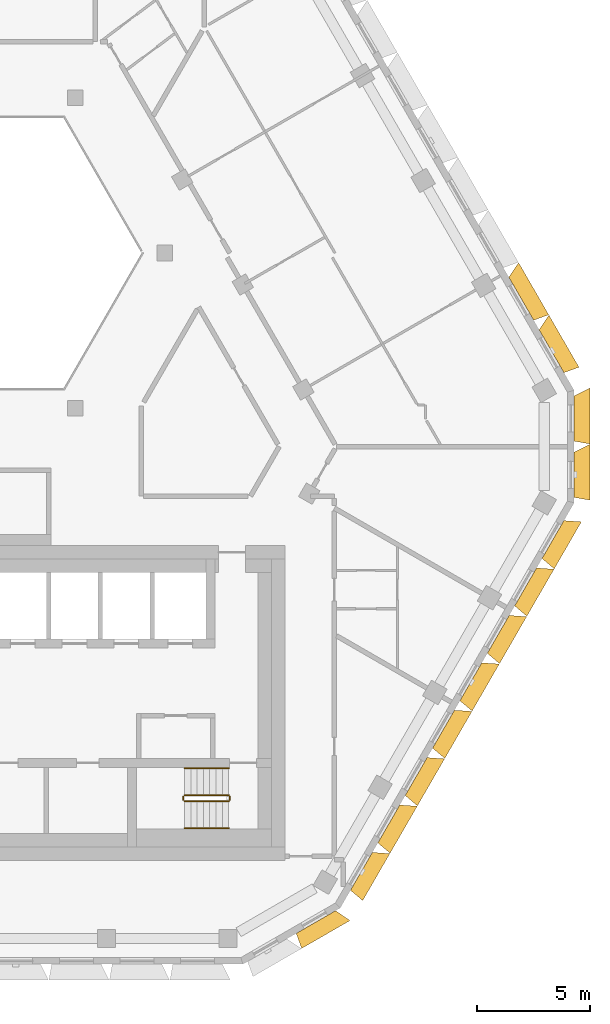
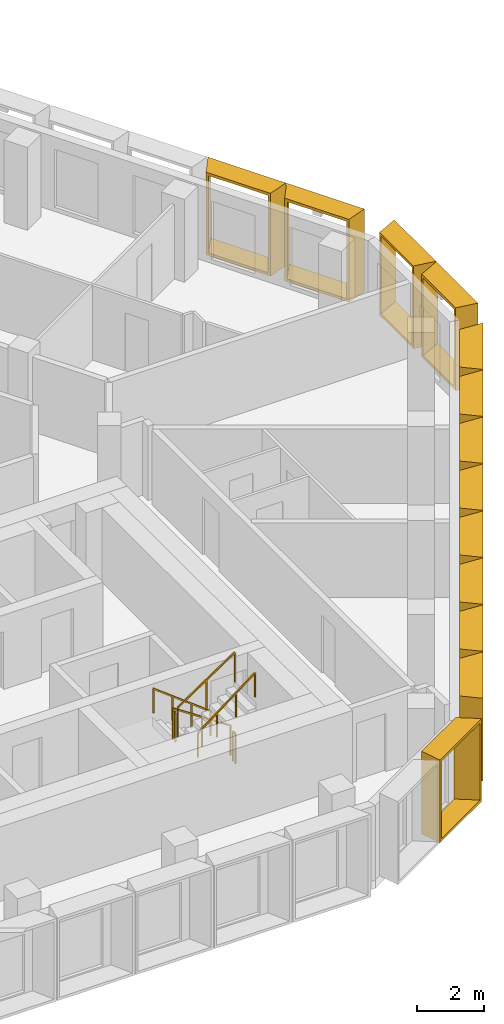
# One storey, part 16 of 17: 13 shading devices, 6 railings.
"""IFC4 building model written with IfcOpenShell, lengths in metres."""

from ifc_helpers import new_model, entity, si_unit, direction, frame, origin, origin_2d, place, context, subcontext, project, spatial, rectangle, extrude, source, transform, mapped, material, type_object, type_shapes, element, save


model = new_model("IFC4")

# Units and contexts
model_context = context("Model", 3, precision=1e-05, world=origin(), true_north=direction((0.0, 1.0)))
body_context = subcontext(model_context, "Body", "Model", "MODEL_VIEW")
ifc_project = project(units=[si_unit("LENGTHUNIT", "METRE"), si_unit("AREAUNIT", "SQUARE_METRE"), si_unit("VOLUMEUNIT", "CUBIC_METRE"), si_unit("PLANEANGLEUNIT", "RADIAN"), si_unit("MASSUNIT", "GRAM", prefix="KILO")], contexts=[model_context])

# Site, building, storey
site_placement = place(None, origin())
site = spatial("IfcSite", under=ifc_project, at=site_placement, CompositionType="ELEMENT")
building_placement = place(site_placement, origin())
building = spatial("IfcBuilding", under=site, at=building_placement, Name="Beryl Residences", CompositionType="ELEMENT")
storey_placement = place(building_placement, frame((0.0, 0.0, 166.199951171875)))
storey = spatial("IfcBuildingStorey", under=building, at=storey_placement, Name="L50", CompositionType="ELEMENT", Elevation=166.199951171875)

# Shading devices
ifc_material_1 = material(Name="Aluminium pale anodised", Category="aluminium")
shading_device_type_1 = type_object("IfcShadingDeviceType", Name="FR243-70C OUTER SKIN frame 700 mm deep, splay 10/26 deg, 2430 x 3000 mm cell", PredefinedType="USERDEFINED", material=ifc_material_1)
cartesian_point_1 = entity("IfcCartesianPoint", [-0.972412109375, 0.0])
cartesian_point_2 = entity("IfcCartesianPoint", [-0.891357421875, 0.10009765625])
cartesian_point_3 = entity("IfcCartesianPoint", [-1.095947265625, 0.0])
cartesian_point_4 = entity("IfcCartesianPoint", [-1.0146484375, 0.10009765625])
shared_shape_1 = source(origin(), body_context, "Body", "SweptSolid", [
    entity("IfcExtrudedAreaSolidTapered", entity("IfcArbitraryProfileDefWithVoids", "AREA", None, entity("IfcPolyline", [cartesian_point_1, entity("IfcCartesianPoint", [0.972412109375, 0.0]), entity("IfcCartesianPoint", [0.972412109375, 3.0]), entity("IfcCartesianPoint", [-0.972412109375, 3.0]), cartesian_point_1]), [entity("IfcPolyline", [cartesian_point_2, entity("IfcCartesianPoint", [0.883544921875, 0.10009765625]), entity("IfcCartesianPoint", [0.883544921875, 2.89990234375]), entity("IfcCartesianPoint", [-0.891357421875, 2.89990234375]), cartesian_point_2])]), entity("IfcAxis2Placement3D", entity("IfcCartesianPoint", [0.0, 0.0, 0.0]), entity("IfcDirection", [0.0, 1.0, 0.0]), entity("IfcDirection", [-1.0, 0.0, 0.0])), entity("IfcDirection", [0.0, 0.0, 1.0]), 0.699951171875, entity("IfcArbitraryProfileDefWithVoids", "AREA", None, entity("IfcPolyline", [cartesian_point_3, entity("IfcCartesianPoint", [1.31396484375, 0.0]), entity("IfcCartesianPoint", [1.31396484375, 3.0]), entity("IfcCartesianPoint", [-1.095947265625, 3.0]), cartesian_point_3]), [entity("IfcPolyline", [cartesian_point_4, entity("IfcCartesianPoint", [1.224853515625, 0.10009765625]), entity("IfcCartesianPoint", [1.224853515625, 2.89990234375]), entity("IfcCartesianPoint", [-1.0146484375, 2.89990234375]), cartesian_point_4])])),
])
type_shapes(shading_device_type_1, [shared_shape_1])
for number, where, z_axis, x_axis, name in (
    (1, (16.700927734375, -19.471923828125, 0.0), (0.0, 0.0, 1.0), (-0.5, -0.866025403784, 0.0), "FR243-70C frame L50 SE 1"),
    (2, (17.9169921875, -17.365966796875, 0.0), (0.0, 0.0, 1.0), (-0.5, -0.866025403784, 0.0), "FR243-70C frame L50 SE 2"),
    (3, (19.133056640625, -15.260009765625, 0.0), (0.0, 0.0, 1.0), (-0.5, -0.866025403784, 0.0), "FR243-70C frame L50 SE 3"),
    (4, (20.34912109375, -13.154052734375, 0.0), (0.0, 0.0, 1.0), (-0.5, -0.866025403784, 0.0), "FR243-70C frame L50 SE 4"),
    (5, (21.56396484375, -11.048095703125, 0.0), (0.0, 0.0, 1.0), (-0.5, -0.866025403784, 0.0), "FR243-70C frame L50 SE 5"),
    (6, (22.780029296875, -8.94189453125, 0.0), (0.0, 0.0, 1.0), (-0.5, -0.866025403784, 0.0), "FR243-70C frame L50 SE 6"),
    (7, (23.99609375, -6.8349609375, 0.0), (0.0, 0.0, 1.0), (-0.5, -0.866025403784, 0.0), "FR243-70C frame L50 SE 7"),
    (8, (25.2119140625, -4.72900390625, 0.0), (0.0, 0.0, 1.0), (-0.5, -0.866025403784, 0.0), "FR243-70C frame L50 SE 8"),
):
    element("IfcShadingDevice", number, at=place(storey_placement, frame(where, z_axis=z_axis, x_axis=x_axis)), inside=storey, type_object=shading_device_type_1, Name=name, ObjectType="OUTER SKIN", PredefinedType="USERDEFINED", context=body_context, shape_type="MappedRepresentation", body=[
        mapped(shared_shape_1, transform((0.0, 0.0, 0.0))),
    ])
ifc_material_2 = material(Name="Aluminium pale anodised", Category="aluminium")
shading_device_type_2 = type_object("IfcShadingDeviceType", Name="FR250-70C OUTER SKIN frame 700 mm deep, splay 10/26 deg, 2500 x 3000 mm cell", PredefinedType="USERDEFINED", material=ifc_material_2)
cartesian_point_5 = entity("IfcCartesianPoint", [-1.007568359375, 0.0])
cartesian_point_6 = entity("IfcCartesianPoint", [-0.92626953125, 0.10009765625])
cartesian_point_7 = entity("IfcCartesianPoint", [-1.130859375, 0.0])
cartesian_point_8 = entity("IfcCartesianPoint", [-1.0498046875, 0.10009765625])
shared_shape_2 = source(origin(), body_context, "Body", "SweptSolid", [
    entity("IfcExtrudedAreaSolidTapered", entity("IfcArbitraryProfileDefWithVoids", "AREA", None, entity("IfcPolyline", [cartesian_point_5, entity("IfcCartesianPoint", [1.007568359375, 0.0]), entity("IfcCartesianPoint", [1.007568359375, 3.0]), entity("IfcCartesianPoint", [-1.007568359375, 3.0]), cartesian_point_5]), [entity("IfcPolyline", [cartesian_point_6, entity("IfcCartesianPoint", [0.91845703125, 0.10009765625]), entity("IfcCartesianPoint", [0.91845703125, 2.89990234375]), entity("IfcCartesianPoint", [-0.92626953125, 2.89990234375]), cartesian_point_6])]), entity("IfcAxis2Placement3D", entity("IfcCartesianPoint", [0.0, 0.0, 0.0]), entity("IfcDirection", [0.0, 1.0, 0.0]), entity("IfcDirection", [-1.0, 0.0, 0.0])), entity("IfcDirection", [0.0, 0.0, 1.0]), 0.699951171875, entity("IfcArbitraryProfileDefWithVoids", "AREA", None, entity("IfcPolyline", [cartesian_point_7, entity("IfcCartesianPoint", [1.348876953125, 0.0]), entity("IfcCartesianPoint", [1.348876953125, 3.0]), entity("IfcCartesianPoint", [-1.130859375, 3.0]), cartesian_point_7]), [entity("IfcPolyline", [cartesian_point_8, entity("IfcCartesianPoint", [1.260009765625, 0.10009765625]), entity("IfcCartesianPoint", [1.260009765625, 2.89990234375]), entity("IfcCartesianPoint", [-1.0498046875, 2.89990234375]), cartesian_point_8])])),
])
type_shapes(shading_device_type_2, [shared_shape_2])
for number, where, z_axis, x_axis, name in (
    (9, (14.677978515625, -21.72509765625, 0.0), (0.0, 0.0, 1.0), (-0.866025403784, -0.5, 0.0), "FR250-70C frame L50 S-SE 2"),
    (10, (26.154052734375, -1.85009765625, 0.0), (0.0, 0.0, 1.0), (0.0, -1.0, 0.0), "FR250-70C frame L50 SE-NE 1"),
    (11, (26.154052734375, 0.64990234375, 0.0), (0.0, 0.0, 1.0), (0.0, -1.0, 0.0), "FR250-70C frame L50 SE-NE 2"),
):
    element("IfcShadingDevice", number, at=place(storey_placement, frame(where, z_axis=z_axis, x_axis=x_axis)), inside=storey, type_object=shading_device_type_2, Name=name, ObjectType="OUTER SKIN", PredefinedType="USERDEFINED", context=body_context, shape_type="MappedRepresentation", body=[
        mapped(shared_shape_2, transform((0.0, 0.0, 0.0))),
    ])
ifc_material_3 = material(Name="Aluminium pale anodised", Category="aluminium")
shading_device_type_3 = type_object("IfcShadingDeviceType", Name="FR269-70C OUTER SKIN frame 700 mm deep, splay 10/26 deg, 2690 x 3000 mm cell", PredefinedType="USERDEFINED", material=ifc_material_3)
cartesian_point_9 = entity("IfcCartesianPoint", [-1.1025390625, 0.0])
cartesian_point_10 = entity("IfcCartesianPoint", [-1.021240234375, 0.10009765625])
cartesian_point_11 = entity("IfcCartesianPoint", [-1.225830078125, 0.0])
cartesian_point_12 = entity("IfcCartesianPoint", [-1.144775390625, 0.10009765625])
shared_shape_3 = source(origin(), body_context, "Body", "SweptSolid", [
    entity("IfcExtrudedAreaSolidTapered", entity("IfcArbitraryProfileDefWithVoids", "AREA", None, entity("IfcPolyline", [cartesian_point_9, entity("IfcCartesianPoint", [1.1025390625, 0.0]), entity("IfcCartesianPoint", [1.1025390625, 3.0]), entity("IfcCartesianPoint", [-1.1025390625, 3.0]), cartesian_point_9]), [entity("IfcPolyline", [cartesian_point_10, entity("IfcCartesianPoint", [1.013427734375, 0.10009765625]), entity("IfcCartesianPoint", [1.013427734375, 2.89990234375]), entity("IfcCartesianPoint", [-1.021240234375, 2.89990234375]), cartesian_point_10])]), entity("IfcAxis2Placement3D", entity("IfcCartesianPoint", [0.0, 0.0, 0.0]), entity("IfcDirection", [0.0, 1.0, 0.0]), entity("IfcDirection", [-1.0, 0.0, 0.0])), entity("IfcDirection", [0.0, 0.0, 1.0]), 0.699951171875, entity("IfcArbitraryProfileDefWithVoids", "AREA", None, entity("IfcPolyline", [cartesian_point_11, entity("IfcCartesianPoint", [1.44384765625, 0.0]), entity("IfcCartesianPoint", [1.44384765625, 3.0]), entity("IfcCartesianPoint", [-1.225830078125, 3.0]), cartesian_point_11]), [entity("IfcPolyline", [cartesian_point_12, entity("IfcCartesianPoint", [1.35498046875, 0.10009765625]), entity("IfcCartesianPoint", [1.35498046875, 2.89990234375]), entity("IfcCartesianPoint", [-1.144775390625, 2.89990234375]), cartesian_point_12])])),
])
type_shapes(shading_device_type_3, [shared_shape_3])
for number, where, z_axis, x_axis, name in (
    (12, (25.14892578125, 3.639892578125, 0.0), (0.0, 0.0, 1.0), (0.5, -0.866025403784, 0.0), "FR269-70C frame L50 NE 1"),
    (13, (23.802978515625, 5.971923828125, 0.0), (0.0, 0.0, 1.0), (0.5, -0.866025403784, 0.0), "FR269-70C frame L50 NE 2"),
):
    element("IfcShadingDevice", number, at=place(storey_placement, frame(where, z_axis=z_axis, x_axis=x_axis)), inside=storey, type_object=shading_device_type_3, Name=name, ObjectType="OUTER SKIN", PredefinedType="USERDEFINED", context=body_context, shape_type="MappedRepresentation", body=[
        mapped(shared_shape_3, transform((0.0, 0.0, 0.0))),
    ])

# Railings
ifc_material_4 = material(Name="Stainless steel balustrade with glass infill", Category="steel")
railing_type_1 = type_object("IfcRailingType", Name="SG1 stair guard 1100 mm", PredefinedType="GUARDRAIL", material=ifc_material_4)
railing_1_placement = place(storey_placement, frame((10.800048828125, -16.10009765625, 0.1875)))
element("IfcRailing", 14, at=railing_1_placement, inside=storey, type_object=railing_type_1, Name="L50 ST-3 stair guard 1", PredefinedType="GUARDRAIL", context=body_context, shape_type="SweptSolid", body=[
    extrude(rectangle(XDim=0.048095703125, YDim=0.048095703125, at=origin_2d()), frame((0.0, 0.0, 1.076171875), z_axis=(-0.830902050051, 0.0, 0.556418712142), x_axis=(0.0, -1.0, 0.0)), (0.0, 0.0, 1.0), 2.35888671875),
    extrude(rectangle(XDim=0.0419921875, YDim=0.0419921875, at=origin_2d()), origin(), (0.0, 0.0, 1.0), 1.052001953125),
    extrude(rectangle(XDim=0.0419921875, YDim=0.0419921875, at=origin_2d()), frame((-0.97998046875, 0.0, 0.65625)), (0.0, 0.0, 1.0), 1.052001953125),
    extrude(rectangle(XDim=0.0419921875, YDim=0.0419921875, at=origin_2d()), frame((-1.9599609375, 0.0, 1.3125)), (0.0, 0.0, 1.0), 1.052001953125),
])
railing_2_placement = place(storey_placement, frame((8.7900390625, -16.14990234375, 1.5)))
element("IfcRailing", 15, at=railing_2_placement, inside=storey, type_object=railing_type_1, Name="L50 ST-3 stair guard 2", PredefinedType="GUARDRAIL", context=body_context, shape_type="SweptSolid", body=[
    extrude(rectangle(XDim=0.048095703125, YDim=0.048095703125, at=origin_2d()), frame((0.0, 0.0, 1.076171875), z_axis=(0.0, -1.0, 0.0), x_axis=(1.0, 0.0, 0.0)), (0.0, 0.0, 1.0), 0.150146484375),
    extrude(rectangle(XDim=0.0419921875, YDim=0.0419921875, at=origin_2d()), origin(), (0.0, 0.0, 1.0), 1.052001953125),
    extrude(rectangle(XDim=0.0419921875, YDim=0.0419921875, at=origin_2d()), frame((0.0, -0.150146484375, 0.0)), (0.0, 0.0, 1.0), 1.052001953125),
])
railing_3_placement = place(storey_placement, frame((8.840087890625, -16.35009765625, 1.6875)))
element("IfcRailing", 16, at=railing_3_placement, inside=storey, type_object=railing_type_1, Name="L50 ST-3 stair guard 3", PredefinedType="GUARDRAIL", context=body_context, shape_type="SweptSolid", body=[
    extrude(rectangle(XDim=0.048095703125, YDim=0.048095703125, at=origin_2d()), frame((0.0, 0.0, 1.076171875), z_axis=(0.830902050051, 0.0, 0.556418712142), x_axis=(0.0, 1.0, 0.0)), (0.0, 0.0, 1.0), 2.35888671875),
    extrude(rectangle(XDim=0.0419921875, YDim=0.0419921875, at=origin_2d()), origin(), (0.0, 0.0, 1.0), 1.052001953125),
    extrude(rectangle(XDim=0.0419921875, YDim=0.0419921875, at=origin_2d()), frame((0.97998046875, 0.0, 0.65625)), (0.0, 0.0, 1.0), 1.052001953125),
    extrude(rectangle(XDim=0.0419921875, YDim=0.0419921875, at=origin_2d()), frame((1.9599609375, 0.0, 1.3125)), (0.0, 0.0, 1.0), 1.052001953125),
])
railing_4_placement = place(storey_placement, frame((10.85009765625, -16.14990234375, 0.0)))
element("IfcRailing", 17, at=railing_4_placement, inside=storey, type_object=railing_type_1, Name="L50 ST-3 stair guard 4", PredefinedType="GUARDRAIL", context=body_context, shape_type="SweptSolid", body=[
    extrude(rectangle(XDim=0.048095703125, YDim=0.048095703125, at=origin_2d()), frame((0.0, 0.0, 1.076171875), z_axis=(0.0, -1.0, 0.0), x_axis=(1.0, 0.0, 0.0)), (0.0, 0.0, 1.0), 0.150146484375),
    extrude(rectangle(XDim=0.0419921875, YDim=0.0419921875, at=origin_2d()), origin(), (0.0, 0.0, 1.0), 1.052001953125),
    extrude(rectangle(XDim=0.0419921875, YDim=0.0419921875, at=origin_2d()), frame((0.0, -0.150146484375, 0.0)), (0.0, 0.0, 1.0), 1.052001953125),
])
ifc_material_5 = material(Name="Stainless steel handrail", Category="steel")
railing_type_2 = type_object("IfcRailingType", Name="SRL1 stair handrail 900 mm", PredefinedType="HANDRAIL", material=ifc_material_5)
railing_5_placement = place(storey_placement, frame((10.800048828125, -14.89990234375, 0.1875)))
element("IfcRailing", 18, at=railing_5_placement, inside=storey, type_object=railing_type_2, Name="L50 ST-3 stair handrail 1", PredefinedType="HANDRAIL", context=body_context, shape_type="SweptSolid", body=[
    extrude(rectangle(XDim=0.048095703125, YDim=0.048095703125, at=origin_2d()), frame((0.0, 0.0, 0.8759765625), z_axis=(-0.794121922505, 0.0, 0.607758481798), x_axis=(0.0, -1.0, 0.0)), (0.0, 0.0, 1.0), 2.468017578125),
    extrude(rectangle(XDim=0.0419921875, YDim=0.0419921875, at=origin_2d()), origin(), (0.0, 0.0, 1.0), 0.851806640625),
    extrude(rectangle(XDim=0.0419921875, YDim=0.0419921875, at=origin_2d()), frame((-0.6533203125, 0.0, 0.5)), (0.0, 0.0, 1.0), 0.851806640625),
    extrude(rectangle(XDim=0.0419921875, YDim=0.0419921875, at=origin_2d()), frame((-1.306640625, 0.0, 1.0)), (0.0, 0.0, 1.0), 0.851806640625),
    extrude(rectangle(XDim=0.0419921875, YDim=0.0419921875, at=origin_2d()), frame((-1.9599609375, 0.0, 1.5)), (0.0, 0.0, 1.0), 0.851806640625),
])
railing_6_placement = place(storey_placement, frame((8.840087890625, -17.550048828125, 1.6875)))
element("IfcRailing", 19, at=railing_6_placement, inside=storey, type_object=railing_type_2, Name="L50 ST-3 stair handrail 2", PredefinedType="HANDRAIL", context=body_context, shape_type="SweptSolid", body=[
    extrude(rectangle(XDim=0.048095703125, YDim=0.048095703125, at=origin_2d()), frame((0.0, 0.0, 0.8759765625), z_axis=(0.794121922505, 0.0, 0.607758481798), x_axis=(0.0, 1.0, 0.0)), (0.0, 0.0, 1.0), 2.468017578125),
    extrude(rectangle(XDim=0.0419921875, YDim=0.0419921875, at=origin_2d()), origin(), (0.0, 0.0, 1.0), 0.851806640625),
    extrude(rectangle(XDim=0.0419921875, YDim=0.0419921875, at=origin_2d()), frame((0.6533203125, 0.0, 0.5)), (0.0, 0.0, 1.0), 0.851806640625),
    extrude(rectangle(XDim=0.0419921875, YDim=0.0419921875, at=origin_2d()), frame((1.306640625, 0.0, 1.0)), (0.0, 0.0, 1.0), 0.851806640625),
    extrude(rectangle(XDim=0.0419921875, YDim=0.0419921875, at=origin_2d()), frame((1.9599609375, 0.0, 1.5)), (0.0, 0.0, 1.0), 0.851806640625),
])

save(model, "model.ifc")
